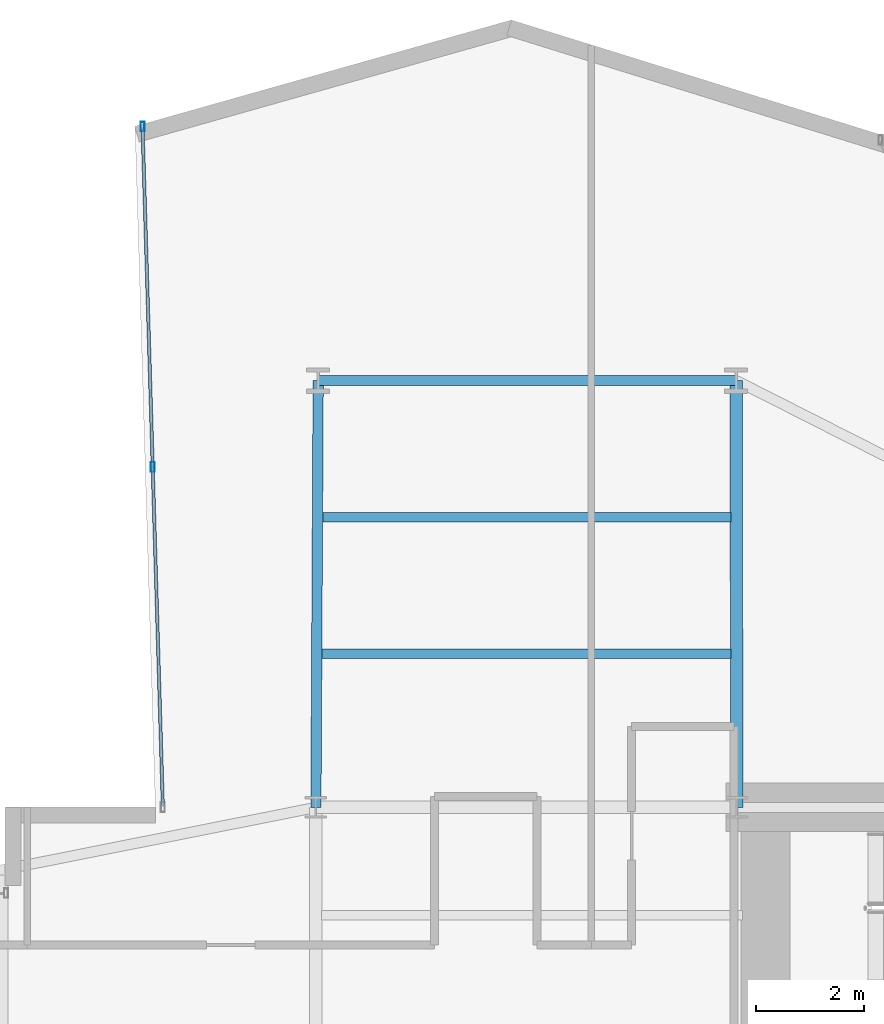
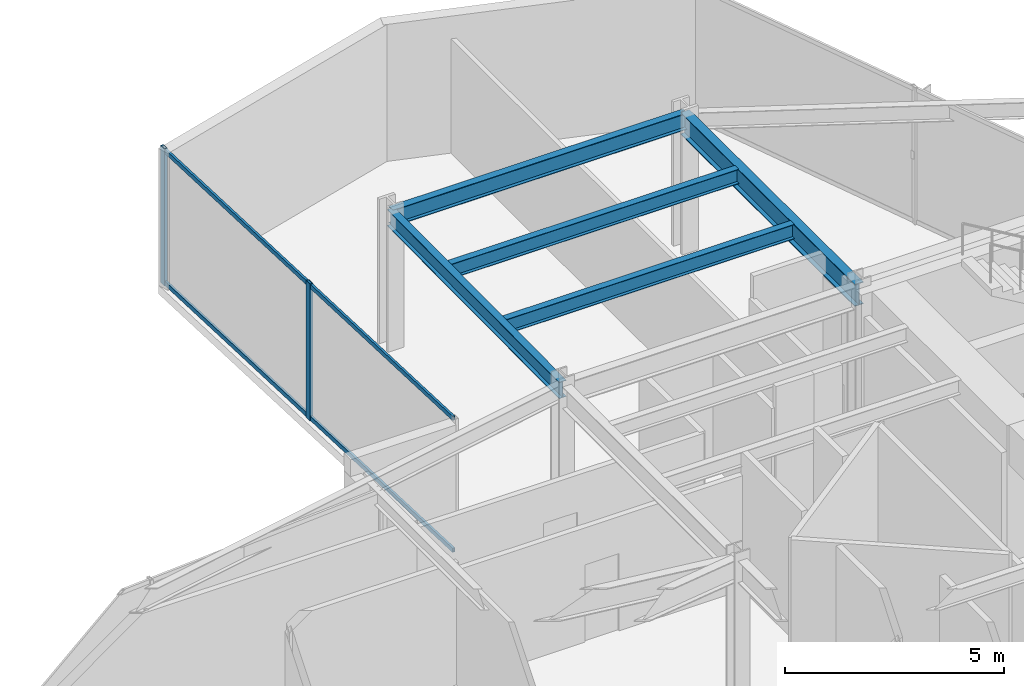
# One storey, part 19 of 29: 5 beams, 4 members, 1 element without a shape of its own.
"""IFC4 building model written with IfcOpenShell, lengths in metres."""

from ifc_helpers import new_model, si_unit, direction, frame, origin, origin_2d, place, context, subcontext, project, spatial, hollow_rectangle, i_section, extrude, material, layer, layer_set, material_profile, profile_set, type_object, element, aggregate, save


model = new_model("IFC4")

# Units and contexts
model_context = context("Model", 3, precision=1e-05, world=origin(), true_north=direction((0.0, 1.0)))
body_context = subcontext(model_context, "Body", "Model", "MODEL_VIEW")
ifc_project = project(units=[si_unit("LENGTHUNIT", "METRE"), si_unit("AREAUNIT", "SQUARE_METRE"), si_unit("VOLUMEUNIT", "CUBIC_METRE"), si_unit("PLANEANGLEUNIT", "RADIAN"), si_unit("MASSUNIT", "GRAM", prefix="KILO")], contexts=[model_context])

# Site, building, storey
site_placement = place(None, origin())
site = spatial("IfcSite", under=ifc_project, at=site_placement, CompositionType="ELEMENT")
building_placement = place(site_placement, origin())
building = spatial("IfcBuilding", under=site, at=building_placement, Name="Veymaron Broadcast Tower", CompositionType="ELEMENT")
storey_placement = place(building_placement, frame((0.0, 0.0, 41.85009765625)))
storey = spatial("IfcBuildingStorey", under=building, at=storey_placement, Name="L08", CompositionType="ELEMENT", Elevation=41.85009765625)

# Beams
ifc_material_1 = material(Name="Structural steel ASTM A992 Gr 50", Category="steel")
ifc_material_profile_1 = material_profile(ifc_material_1, i_section(OverallWidth=0.22998046875, OverallDepth=0.616943359375, WebThickness=0.01318359375, FlangeThickness=0.022216796875, at=origin_2d()), Name="W610X140")
ifc_profile_set_1 = profile_set([ifc_material_profile_1], Name="Structural steel ASTM A992 Gr 50")
beam_type_1 = type_object("IfcBeamType", Name="BM-FG1", PredefinedType="BEAM", material=ifc_profile_set_1)
beam_1_placement = place(storey_placement, frame((39.0, 32.0, 3.50146484375), z_axis=(-0.001882770823, 0.999998227585, 0.0), x_axis=(-0.999998227585, -0.001882770823, 0.0)))
element("IfcBeam", 1, at=beam_1_placement, inside=storey, type_object=beam_type_1, Name="L08 primary structural floor girder", PredefinedType="BEAM", context=body_context, shape_type="SweptSolid", body=[
    extrude(i_section(OverallWidth=0.22998046875, OverallDepth=0.616943359375, WebThickness=0.01318359375, FlangeThickness=0.022216796875, at=origin_2d()), origin(), (0.0, 0.0, 1.0), 7.909912109375),
])
ifc_material_profile_2 = material_profile(ifc_material_1, i_section(OverallWidth=0.177978515625, OverallDepth=0.406982421875, WebThickness=0.0078125, FlangeThickness=0.0126953125, at=origin_2d()), Name="W410X60")
ifc_profile_set_2 = profile_set([ifc_material_profile_2], Name="Structural steel ASTM A992 Gr 50")
beam_type_2 = type_object("IfcBeamType", Name="BM-JS1", PredefinedType="JOIST", material=ifc_profile_set_2)
beam_2_placement = place(storey_placement, frame((31.315185546875, 34.84765625, 3.6064453125), z_axis=(1.0, 0.0, 0.0), x_axis=(0.0, 1.0, 0.0)))
element("IfcBeam", 2, at=beam_2_placement, inside=storey, type_object=beam_type_2, Name="L08 Arm-B secondary joist 1", PredefinedType="JOIST", context=body_context, shape_type="SweptSolid", body=[
    extrude(i_section(OverallWidth=0.177978515625, OverallDepth=0.406982421875, WebThickness=0.0078125, FlangeThickness=0.0126953125, at=origin_2d()), origin(), (0.0, 0.0, 1.0), 7.579345703125),
])
beam_3_placement = place(storey_placement, frame((31.32861328125, 37.37890625, 3.6064453125), z_axis=(1.0, 0.0, 0.0), x_axis=(0.0, 1.0, 0.0)))
element("IfcBeam", 3, at=beam_3_placement, inside=storey, type_object=beam_type_2, Name="L08 Arm-B secondary joist 2", PredefinedType="JOIST", context=body_context, shape_type="SweptSolid", body=[
    extrude(i_section(OverallWidth=0.177978515625, OverallDepth=0.406982421875, WebThickness=0.0078125, FlangeThickness=0.0126953125, at=origin_2d()), origin(), (0.0, 0.0, 1.0), 7.561279296875),
])
ifc_material_profile_3 = material_profile(ifc_material_1, i_section(OverallWidth=0.19091796875, OverallDepth=0.4599609375, WebThickness=0.010009765625, FlangeThickness=0.01611328125, at=origin_2d()), Name="W460X82")
ifc_profile_set_3 = profile_set([ifc_material_profile_3], Name="Structural steel ASTM A992 Gr 50")
beam_type_3 = type_object("IfcBeamType", Name="BM-SP1", PredefinedType="SPANDREL", material=ifc_profile_set_3)
beam_4_placement = place(storey_placement, frame((31.199951171875, 32.0, 3.579833984375), z_axis=(0.005308731019, 0.999985908588, 0.0), x_axis=(-0.999985908588, 0.005308731019, 0.0)))
element("IfcBeam", 4, at=beam_4_placement, inside=storey, type_object=beam_type_3, Name="L08 primary structural floor girder", PredefinedType="SPANDREL", context=body_context, shape_type="SweptSolid", body=[
    extrude(i_section(OverallWidth=0.19091796875, OverallDepth=0.4599609375, WebThickness=0.010009765625, FlangeThickness=0.01611328125, at=origin_2d()), origin(), (0.0, 0.0, 1.0), 7.909912109375),
])
beam_5_placement = place(storey_placement, frame((31.241943359375, 39.909912109375, 3.579833984375), z_axis=(1.0, 0.0, 0.0), x_axis=(0.0, 1.0, 0.0)))
element("IfcBeam", 5, at=beam_5_placement, inside=storey, type_object=beam_type_3, Name="L08 primary structural floor girder", PredefinedType="SPANDREL", context=body_context, shape_type="SweptSolid", body=[
    extrude(i_section(OverallWidth=0.19091796875, OverallDepth=0.4599609375, WebThickness=0.010009765625, FlangeThickness=0.01611328125, at=origin_2d()), origin(), (0.0, 0.0, 1.0), 7.7431640625),
])

# Curtain wall, members
ifc_material_2 = material(Name="Anodised aluminium AA 6063-T6 and laminated low-E dark glass", Category="aluminium")
ifc_layer = layer(ifc_material_2, 0.179931640625)
ifc_layer_set = layer_set([ifc_layer], Name="Anodised aluminium AA 6063-T6 and laminated low-E dark glass")
curtain_wall_type = type_object("IfcCurtainWallType", Name="CW-SYS-02", PredefinedType="NOTDEFINED", material=ifc_layer_set)
curtain_wall_placement = place(storey_placement, origin())
curtain_wall = element("IfcCurtainWall", 6, at=curtain_wall_placement, inside=storey, type_object=curtain_wall_type, Name="L08 dark-glass curtain wall CW-L08-E8-1", PredefinedType="NOTDEFINED")
ifc_material_3 = material(Name="Anodised aluminium AA 6063-T6", Category="aluminium")
ifc_material_profile_4 = material_profile(ifc_material_3, hollow_rectangle(XDim=0.074951171875, YDim=0.179931640625, WallThickness=0.0048828125, at=origin_2d()), Name="AL180X75X5")
ifc_profile_set_4 = profile_set([ifc_material_profile_4], Name="Anodised aluminium AA 6063-T6")
member_type_1 = type_object("IfcMemberType", Name="CW-MUL-02", PredefinedType="MULLION", material=ifc_profile_set_4)
member_1_placement = place(storey_placement, frame((27.9873046875, 44.615234375, 0.0), z_axis=(0.0, 0.0, 1.0), x_axis=(1.0, 0.0, 0.0)))
member_1 = element("IfcMember", 7, at=member_1_placement, type_object=member_type_1, Name="CW-L08-E8-1 mullion 0", PredefinedType="MULLION", context=body_context, shape_type="SweptSolid", body=[
    extrude(hollow_rectangle(XDim=0.074951171875, YDim=0.179931640625, WallThickness=0.0048828125, at=origin_2d()), origin(), (0.0, 0.0, 1.0), 3.809814453125),
])
member_2_placement = place(storey_placement, frame((28.175537109375, 38.309814453125, 0.0), z_axis=(0.0, 0.0, 1.0), x_axis=(1.0, 0.0, 0.0)))
member_2 = element("IfcMember", 8, at=member_2_placement, type_object=member_type_1, Name="CW-L08-E8-1 mullion 1", PredefinedType="MULLION", context=body_context, shape_type="SweptSolid", body=[
    extrude(hollow_rectangle(XDim=0.074951171875, YDim=0.179931640625, WallThickness=0.0048828125, at=origin_2d()), origin(), (0.0, 0.0, 1.0), 3.809814453125),
])
ifc_material_profile_5 = material_profile(ifc_material_3, hollow_rectangle(XDim=0.06005859375, YDim=0.1201171875, WallThickness=0.00390625, at=origin_2d()), Name="AL120X60X4")
ifc_profile_set_5 = profile_set([ifc_material_profile_5], Name="Anodised aluminium AA 6063-T6")
member_type_2 = type_object("IfcMemberType", Name="CW-TRN-02", PredefinedType="USERDEFINED", material=ifc_profile_set_5)
member_3_placement = place(storey_placement, frame((27.98876953125, 44.565185546875, 0.06982421875), z_axis=(0.029862760986, -0.999554008299, 0.0), x_axis=(0.999554008299, 0.029862760986, 0.0)))
member_3 = element("IfcMember", 9, at=member_3_placement, type_object=member_type_2, Name="CW-L08-E8-1 transom B", ObjectType="TRANSOM", PredefinedType="USERDEFINED", context=body_context, shape_type="SweptSolid", body=[
    extrude(hollow_rectangle(XDim=0.06005859375, YDim=0.1201171875, WallThickness=0.00390625, at=origin_2d()), origin(), (0.0, 0.0, 1.0), 12.5166015625),
])
member_4_placement = place(storey_placement, frame((27.98876953125, 44.565185546875, 3.739990234375), z_axis=(0.029862760986, -0.999554008299, 0.0), x_axis=(0.999554008299, 0.029862760986, 0.0)))
member_4 = element("IfcMember", 10, at=member_4_placement, type_object=member_type_2, Name="CW-L08-E8-1 transom T", ObjectType="TRANSOM", PredefinedType="USERDEFINED", context=body_context, shape_type="SweptSolid", body=[
    extrude(hollow_rectangle(XDim=0.06005859375, YDim=0.1201171875, WallThickness=0.00390625, at=origin_2d()), origin(), (0.0, 0.0, 1.0), 12.5166015625),
])
aggregate(curtain_wall, [member_1, member_2, member_3, member_4])

save(model, "model.ifc")
